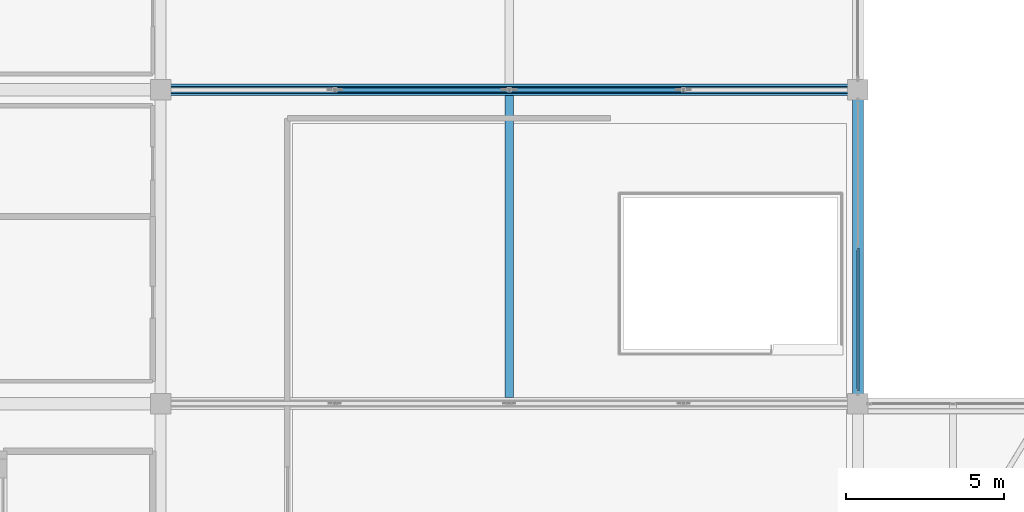
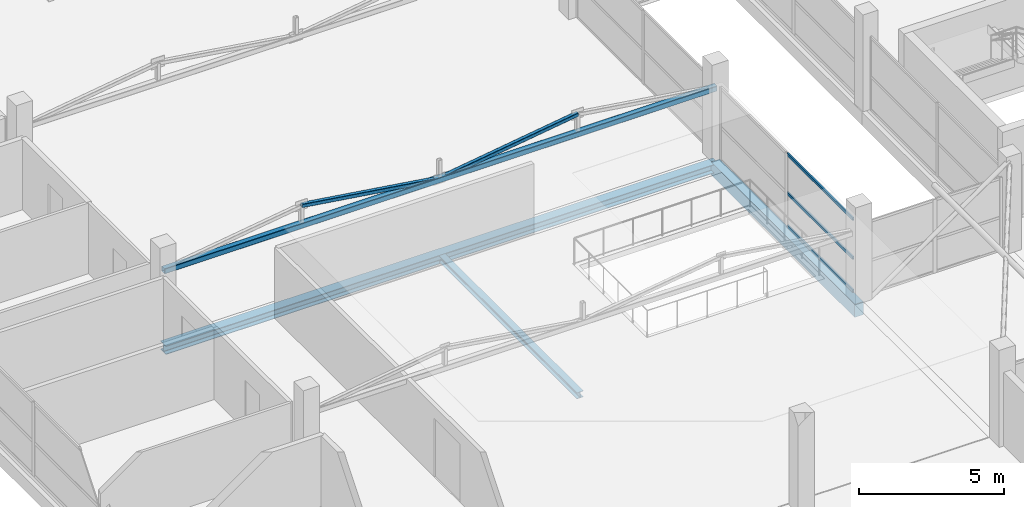
# One storey, part 24 of 66: 6 members, 3 beams, 1 element without a shape of its own.
"""IFC4 building model written with IfcOpenShell, lengths in metres."""

from ifc_helpers import new_model, si_unit, direction, frame, origin, origin_2d, place, context, subcontext, project, spatial, rectangle, hollow_rectangle, i_section, extrude, material, layer, layer_set, material_profile, profile_set, type_object, element, aggregate, save


model = new_model("IFC4")

# Units and contexts
model_context = context("Model", 3, precision=1e-05, world=origin(), true_north=direction((0.0, 1.0)))
body_context = subcontext(model_context, "Body", "Model", "MODEL_VIEW")
ifc_project = project(units=[si_unit("LENGTHUNIT", "METRE"), si_unit("AREAUNIT", "SQUARE_METRE"), si_unit("VOLUMEUNIT", "CUBIC_METRE"), si_unit("PLANEANGLEUNIT", "RADIAN"), si_unit("MASSUNIT", "GRAM", prefix="KILO")], contexts=[model_context])

# Site, building, storey
site_placement = place(None, origin())
site = spatial("IfcSite", under=ifc_project, at=site_placement, CompositionType="ELEMENT")
building_placement = place(site_placement, origin())
building = spatial("IfcBuilding", under=site, at=building_placement, Name="Sillaruma Civic Art Gallery", CompositionType="ELEMENT")
storey_placement = place(building_placement, frame((0.0, 0.0, 62.219970703125)))
storey = spatial("IfcBuildingStorey", under=building, at=storey_placement, Name="L12", CompositionType="ELEMENT", Elevation=62.219970703125)

# Beams
ifc_material_1 = material(Name="Structural Steel ASTM A992 Gr.50", Category="steel")
ifc_material_profile_1 = material_profile(ifc_material_1, i_section(OverallWidth=0.256103515625, OverallDepth=0.260009765625, WebThickness=0.0107421875, FlangeThickness=0.017333984375, FilletRadius=0.012939453125, at=origin_2d()), Name="W250x89")
ifc_profile_set_1 = profile_set([ifc_material_profile_1], Name="Structural Steel ASTM A992 Gr.50")
beam_type_1 = type_object("IfcBeamType", Name="BM-JOIST-W250x89", PredefinedType="JOIST", material=ifc_profile_set_1)
beam_1_placement = place(storey_placement, frame((81.0, 49.685546875, -0.35986328125), z_axis=(0.0, 1.0, 0.0), x_axis=(-1.0, 0.0, 0.0)))
element("IfcBeam", 1, at=beam_1_placement, inside=storey, type_object=beam_type_1, Name="Long-Span Gallery Joist JS-04 (L11:6-7)", PredefinedType="JOIST", context=body_context, shape_type="SweptSolid", body=[
    extrude(i_section(OverallWidth=0.256103515625, OverallDepth=0.260009765625, WebThickness=0.0107421875, FlangeThickness=0.017333984375, FilletRadius=0.012939453125, at=origin_2d()), origin(), (0.0, 0.0, 1.0), 9.529052734375),
])
ifc_material_2 = material(Name="Concrete H35 (35 MPa)", Category="concrete")
ifc_material_profile_2 = material_profile(ifc_material_2, rectangle(XDim=0.35009765625, YDim=0.550048828125, at=origin_2d()), Name="RCB350x550")
ifc_profile_set_2 = profile_set([ifc_material_profile_2], Name="Concrete H35 (35 MPa)")
beam_type_2 = type_object("IfcBeamType", Name="BM-SPANDREL-RCB350x550", PredefinedType="SPANDREL", material=ifc_profile_set_2)
beam_2_placement = place(storey_placement, frame((92.0, 49.5, -0.5048828125), z_axis=(0.0, 1.0, 0.0), x_axis=(-1.0, 0.0, 0.0)))
element("IfcBeam", 2, at=beam_2_placement, inside=storey, type_object=beam_type_2, Name="Beam BS-04 (L11:K:6-7)", PredefinedType="SPANDREL", context=body_context, shape_type="SweptSolid", body=[
    extrude(rectangle(XDim=0.35009765625, YDim=0.550048828125, at=origin_2d()), origin(), (0.0, 0.0, 1.0), 9.89990234375),
])
ifc_material_profile_3 = material_profile(ifc_material_1, i_section(OverallWidth=0.37109375, OverallDepth=0.364013671875, WebThickness=0.01318359375, FlangeThickness=0.021728515625, FilletRadius=0.014892578125, at=origin_2d()), Name="W360x162")
ifc_profile_set_3 = profile_set([ifc_material_profile_3], Name="Structural Steel ASTM A992 Gr.50")
beam_type_3 = type_object("IfcBeamType", Name="BM-TRTOP-W360x162", PredefinedType="BEAM", material=ifc_profile_set_3)
beam_3_placement = place(storey_placement, frame((70.0, 59.39990234375, -0.411865234375), z_axis=(1.0, 0.0, 0.0), x_axis=(0.0, 1.0, 0.0)))
element("IfcBeam", 3, at=beam_3_placement, inside=storey, type_object=beam_type_3, Name="Warren Truss Top Chord TR-L11-2", PredefinedType="BEAM", context=body_context, shape_type="SweptSolid", body=[
    extrude(i_section(OverallWidth=0.37109375, OverallDepth=0.364013671875, WebThickness=0.01318359375, FlangeThickness=0.021728515625, FilletRadius=0.014892578125, at=origin_2d()), origin(), (0.0, 0.0, 1.0), 22.0),
])

# Members
ifc_material_3 = material(Name="Structural Steel ASTM A500 Gr.C", Category="steel")
ifc_material_profile_4 = material_profile(ifc_material_3, hollow_rectangle(XDim=0.14990234375, YDim=0.14990234375, WallThickness=0.010009765625, InnerFilletRadius=0.010009765625, OuterFilletRadius=0.02001953125, at=origin_2d()), Name="HSS150x150x10")
ifc_profile_set_4 = profile_set([ifc_material_profile_4], Name="Structural Steel ASTM A500 Gr.C")
member_type_1 = type_object("IfcMemberType", Name="MEM-BRACE-HSS150x150x10", PredefinedType="BRACE", material=ifc_profile_set_4)
for number, where, z_axis, x_axis, name in (
    (4, (75.5, 59.39990234375, 3.66796875), (0.989384036218, 0.0, -0.145324563914), (0.0, 1.0, 0.0), "Warren Truss Diagonal TR-L12-2-D2"),
    (5, (81.0, 59.39990234375, 2.860107421875), (0.989384036218, 0.0, 0.145324563914), (0.0, 1.0, 0.0), "Warren Truss Diagonal TR-L12-2-D3"),
):
    element("IfcMember", number, at=place(storey_placement, frame(where, z_axis=z_axis, x_axis=x_axis)), inside=storey, type_object=member_type_1, Name=name, PredefinedType="BRACE", context=body_context, shape_type="SweptSolid", body=[
        extrude(hollow_rectangle(XDim=0.14990234375, YDim=0.14990234375, WallThickness=0.010009765625, InnerFilletRadius=0.010009765625, OuterFilletRadius=0.02001953125, at=origin_2d()), origin(), (0.0, 0.0, 1.0), 5.55908203125),
    ])
ifc_material_profile_5 = material_profile(ifc_material_3, hollow_rectangle(XDim=0.219970703125, YDim=0.219970703125, WallThickness=0.012451171875, InnerFilletRadius=0.012451171875, OuterFilletRadius=0.02490234375, at=origin_2d()), Name="HSS220x220x12.5")
ifc_profile_set_5 = profile_set([ifc_material_profile_5], Name="Structural Steel ASTM A500 Gr.C")
member_type_2 = type_object("IfcMemberType", Name="MEM-CHORD-HSS220x220x12.5", PredefinedType="CHORD", material=ifc_profile_set_5)
member_1_placement = place(storey_placement, frame((70.0, 59.39990234375, 2.860107421875), z_axis=(1.0, 0.0, 0.0), x_axis=(0.0, 1.0, 0.0)))
element("IfcMember", 6, at=member_1_placement, inside=storey, type_object=member_type_2, Name="Warren Truss Bottom Chord TR-L12-2", PredefinedType="CHORD", context=body_context, shape_type="SweptSolid", body=[
    extrude(hollow_rectangle(XDim=0.219970703125, YDim=0.219970703125, WallThickness=0.012451171875, InnerFilletRadius=0.012451171875, OuterFilletRadius=0.02490234375, at=origin_2d()), origin(), (0.0, 0.0, 1.0), 22.0),
])

# Curtain wall, members
ifc_material_4 = material(Name="Thermally Broken Extruded Aluminium 6063-T6", Category="aluminium")
ifc_layer = layer(ifc_material_4, 0.179931640625, Name="Thermally Broken Extruded Aluminium 6063-T6")
ifc_layer_set = layer_set([ifc_layer], Name="Thermally Broken Extruded Aluminium 6063-T6")
curtain_wall_type = type_object("IfcCurtainWallType", Name="CW-UNI-92", PredefinedType="NOTDEFINED", material=ifc_layer_set)
curtain_wall_placement = place(storey_placement, origin())
curtain_wall = element("IfcCurtainWall", 7, at=curtain_wall_placement, inside=storey, type_object=curtain_wall_type, Name="Unitised Curtain Wall CW-92 (CW-L12-WBE-4)", PredefinedType="NOTDEFINED")
ifc_material_profile_6 = material_profile(ifc_material_4, hollow_rectangle(XDim=0.06494140625, YDim=0.1201171875, WallThickness=0.00341796875, at=origin_2d()), Name="CWT65x120")
ifc_profile_set_6 = profile_set([ifc_material_profile_6], Name="Thermally Broken Extruded Aluminium 6063-T6")
member_type_3 = type_object("IfcMemberType", Name="MEM-TRN-CWT65x120", PredefinedType="USERDEFINED", material=ifc_profile_set_6)
member_2_placement = place(storey_placement, frame((92.0, 49.89501953125, 0.032470703125), z_axis=(0.0, 1.0, 0.0), x_axis=(-1.0, 0.0, 0.0)))
member_2 = element("IfcMember", 8, at=member_2_placement, type_object=member_type_3, Name="CW-92 transom 1.1", ObjectType="TRANSOM", PredefinedType="USERDEFINED", context=body_context, shape_type="SweptSolid", body=[
    extrude(hollow_rectangle(XDim=0.06494140625, YDim=0.1201171875, WallThickness=0.00341796875, at=origin_2d()), origin(), (0.0, 0.0, 1.0), 4.52001953125),
])
member_3_placement = place(storey_placement, frame((92.0, 49.89501953125, 1.426025390625), z_axis=(0.0, 1.0, 0.0), x_axis=(-1.0, 0.0, 0.0)))
member_3 = element("IfcMember", 9, at=member_3_placement, type_object=member_type_3, Name="CW-92 transom 1.2", ObjectType="TRANSOM", PredefinedType="USERDEFINED", context=body_context, shape_type="SweptSolid", body=[
    extrude(hollow_rectangle(XDim=0.06494140625, YDim=0.1201171875, WallThickness=0.00341796875, at=origin_2d()), origin(), (0.0, 0.0, 1.0), 4.52001953125),
])
member_4_placement = place(storey_placement, frame((92.0, 49.89501953125, 3.067626953125), z_axis=(0.0, 1.0, 0.0), x_axis=(-1.0, 0.0, 0.0)))
member_4 = element("IfcMember", 10, at=member_4_placement, type_object=member_type_3, Name="CW-92 transom 1.3", ObjectType="TRANSOM", PredefinedType="USERDEFINED", context=body_context, shape_type="SweptSolid", body=[
    extrude(hollow_rectangle(XDim=0.06494140625, YDim=0.1201171875, WallThickness=0.00341796875, at=origin_2d()), origin(), (0.0, 0.0, 1.0), 4.52001953125),
])
aggregate(curtain_wall, [member_2, member_3, member_4])

save(model, "model.ifc")
